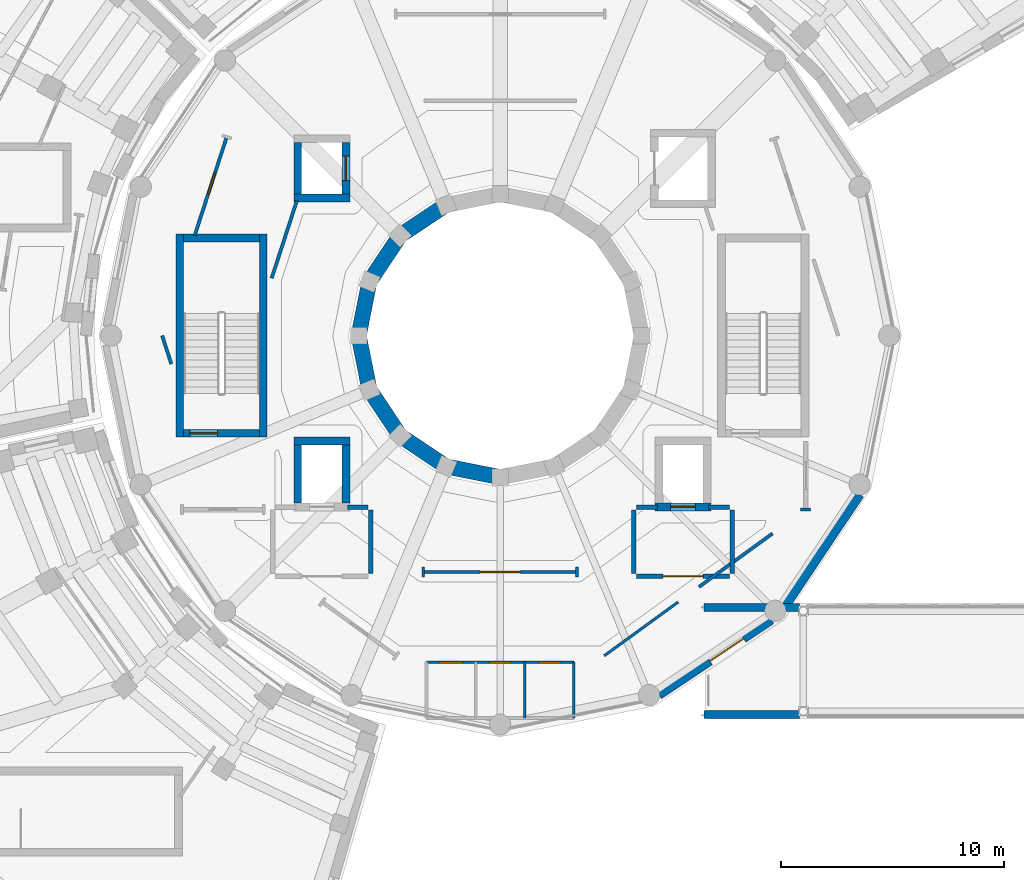
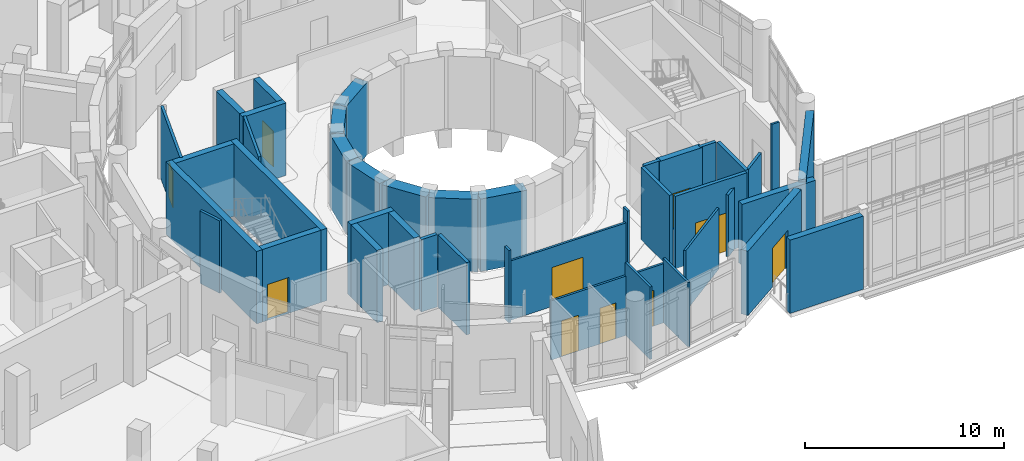
# One storey, part 63 of 89: 41 walls, 10 doors, 10 openings.
"""IFC4 building model written with IfcOpenShell, lengths in metres."""

from ifc_helpers import new_model, si_unit, direction, frame, frame_2d, origin, place, context, subcontext, project, spatial, rectangle, extrude, material, layer, layer_set, type_object, element, fill, save


model = new_model("IFC4")

# Units and contexts
model_context = context("Model", 3, precision=1e-05, world=origin(), true_north=direction((0.0, 1.0)))
body_context = subcontext(model_context, "Body", "Model", "MODEL_VIEW")
ifc_project = project(units=[si_unit("LENGTHUNIT", "METRE"), si_unit("AREAUNIT", "SQUARE_METRE"), si_unit("VOLUMEUNIT", "CUBIC_METRE"), si_unit("PLANEANGLEUNIT", "RADIAN"), si_unit("MASSUNIT", "GRAM", prefix="KILO")], contexts=[model_context])

# Site, building, storey
site_placement = place(None, origin())
site = spatial("IfcSite", under=ifc_project, at=site_placement, CompositionType="ELEMENT")
building_placement = place(site_placement, origin())
building = spatial("IfcBuilding", under=site, at=building_placement, Name="Soyqirgoq Riverine Aquarium", CompositionType="ELEMENT")
storey_placement = place(building_placement, frame((0.0, 0.0, 5.39990234375)))
storey = spatial("IfcBuildingStorey", under=building, at=storey_placement, Name="L02", CompositionType="ELEMENT", Elevation=5.39990234375)

# Walls
ifc_material_1 = material(Name="Insulated composite rainscreen panel", Category="steel")
ifc_layer_1 = layer(ifc_material_1, 0.360107421875)
ifc_layer_set_1 = layer_set([ifc_layer_1], Name="Insulated composite rainscreen panel")
wall_type_1 = type_object("IfcWallType", Name="BridgeSpandrelWall_360", PredefinedType="SOLIDWALL", material=ifc_layer_set_1)
wall_1_placement = place(storey_placement, frame((65.14990234375, 40.0, 0.0), z_axis=(0.0, 0.0, 1.0), x_axis=(1.0, 0.0, 0.0)))
element("IfcWall", 1, at=wall_1_placement, inside=storey, type_object=wall_type_1, Name="BR-1 L02 Exterior Travertine Wall 0400", PredefinedType="SOLIDWALL", context=body_context, shape_type="SweptSolid", body=[
    extrude(rectangle(XDim=4.27001953125, YDim=0.360107421875, at=frame_2d((2.135009765625, 0.0))), origin(), (0.0, 0.0, 1.0), 4.5),
])
wall_2_placement = place(storey_placement, frame((65.14990234375, 44.800048828125, 0.0), z_axis=(0.0, 0.0, 1.0), x_axis=(1.0, 0.0, 0.0)))
element("IfcWall", 2, at=wall_2_placement, inside=storey, type_object=wall_type_1, Name="BR-1 L02 Exterior Travertine Wall 0402", PredefinedType="SOLIDWALL", context=body_context, shape_type="SweptSolid", body=[
    extrude(rectangle(XDim=4.27001953125, YDim=0.360107421875, at=frame_2d((2.135009765625, 0.0))), origin(), (0.0, 0.0, 1.0), 3.7900390625),
])

# Wall, opening, door
ifc_material_2 = material(Name="Concrete C40/50", Category="concrete")
ifc_layer_2 = layer(ifc_material_2, 0.35009765625)
ifc_layer_set_2 = layer_set([ifc_layer_2], Name="Concrete C40/50")
wall_type_2 = type_object("IfcWallType", Name="CoreShearWall_350_C40", PredefinedType="SHEAR", material=ifc_layer_set_2)
wall_3_placement = place(storey_placement, frame((62.945068359375, 49.320068359375, 0.0), z_axis=(0.0, 0.0, 1.0), x_axis=(1.0, 0.0, 0.0)))
wall_3 = element("IfcWall", 3, at=wall_3_placement, inside=storey, type_object=wall_type_2, Name="Lift FFL-1 Shaft Wall L02 1", PredefinedType="SHEAR", context=body_context, shape_type="SweptSolid", body=[
    extrude(rectangle(XDim=2.510009765625, YDim=0.35009765625, at=frame_2d((1.2548828125, 0.0))), origin(), (0.0, 0.0, 1.0), 4.4501953125),
])
opening_1_placement = place(wall_3_placement, frame((0.705078125, 0.0, 0.0)))
opening_1 = element("IfcOpeningElement", 4, at=opening_1_placement, cuts=wall_3, Name="Opening LD-01", PredefinedType="OPENING", context=body_context, shape_type="SweptSolid", body=[
    extrude(rectangle(XDim=1.10009765625, YDim=2.199951171875, at=frame_2d((0.550048828125, 1.10009765625))), frame((0.0, 0.18505859375, 0.0), z_axis=(0.0, -1.0, 0.0), x_axis=(1.0, 0.0, 0.0)), (0.0, 0.0, 1.0), 0.3701171875),
])
ifc_material_3 = material(Name="Brushed stainless steel telescopic lift landing door", Category="steel")
door_type_1 = type_object("IfcDoorType", Name="LiftLandingDoor_1100x2200", OperationType="SLIDING_TO_LEFT", PredefinedType="DOOR", material=ifc_material_3)
door_1_placement = place(opening_1_placement, origin())
door_1 = element("IfcDoor", 5, at=door_1_placement, inside=storey, type_object=door_type_1, Name="LD-FFL-1-L02 Lift FFL-1 L02 Sliding Landing Door", OperationType="SLIDING_TO_LEFT", OverallHeight=2.199951171875, OverallWidth=1.10009765625, PredefinedType="DOOR", context=body_context, shape_type="SweptSolid", body=[
    extrude(rectangle(XDim=1.10009765625, YDim=2.199951171875, at=frame_2d((0.550048828125, 1.10009765625))), frame((0.0, 0.02490234375, 0.0), z_axis=(0.0, -1.0, 0.0), x_axis=(1.0, 0.0, 0.0)), (0.0, 0.0, 1.0), 0.050048828125),
])
fill(opening_1, door_1)

# Walls
wall_4_placement = place(storey_placement, frame((45.375, 52.449951171875, 0.0), z_axis=(0.0, 0.0, 1.0), x_axis=(0.0, 1.0, 0.0)))
element("IfcWall", 6, at=wall_4_placement, inside=storey, type_object=wall_type_2, Name="CORE-1B L02 Stair Core Shear Wall SIDE1", PredefinedType="SHEAR", context=body_context, shape_type="SweptSolid", body=[
    extrude(rectangle(XDim=9.10009765625, YDim=0.35009765625, at=frame_2d((4.550048828125, 0.0))), origin(), (0.0, 0.0, 1.0), 4.4501953125),
])
wall_5_placement = place(storey_placement, frame((45.199951171875, 61.375, 0.0), z_axis=(0.0, 0.0, 1.0), x_axis=(-1.0, 0.0, 0.0)))
element("IfcWall", 7, at=wall_5_placement, inside=storey, type_object=wall_type_2, Name="CORE-1B L02 Stair Core Shear Wall BACK", PredefinedType="SHEAR", context=body_context, shape_type="SweptSolid", body=[
    extrude(rectangle(XDim=3.39990234375, YDim=0.35009765625, at=frame_2d((1.699951171875, 0.0))), origin(), (0.0, 0.0, 1.0), 4.4501953125),
])
wall_6_placement = place(storey_placement, frame((41.625, 61.550048828125, 0.0), z_axis=(0.0, 0.0, 1.0), x_axis=(0.0, -1.0, 0.0)))
element("IfcWall", 8, at=wall_6_placement, inside=storey, type_object=wall_type_2, Name="CORE-1B L02 Stair Core Shear Wall SIDE2", PredefinedType="SHEAR", context=body_context, shape_type="SweptSolid", body=[
    extrude(rectangle(XDim=9.10009765625, YDim=0.35009765625, at=frame_2d((4.550048828125, 0.0))), origin(), (0.0, 0.0, 1.0), 4.4501953125),
])

# Wall, opening, door
wall_7_placement = place(storey_placement, frame((41.800048828125, 52.625, 0.0), z_axis=(0.0, 0.0, 1.0), x_axis=(1.0, 0.0, 0.0)))
wall_7 = element("IfcWall", 9, at=wall_7_placement, inside=storey, type_object=wall_type_2, Name="CORE-1B L02 Stair Core Shear Wall FRONT", PredefinedType="SHEAR", context=body_context, shape_type="SweptSolid", body=[
    extrude(rectangle(XDim=3.39990234375, YDim=0.35009765625, at=frame_2d((1.699951171875, 0.0))), origin(), (0.0, 0.0, 1.0), 4.4501953125),
])
opening_2_placement = place(wall_7_placement, frame((0.280029296875, 0.0, 0.0)))
opening_2 = element("IfcOpeningElement", 10, at=opening_2_placement, cuts=wall_7, Name="Opening FD-01", PredefinedType="OPENING", context=body_context, shape_type="SweptSolid", body=[
    extrude(rectangle(XDim=1.25, YDim=2.199951171875, at=frame_2d((0.625, 1.10009765625))), frame((0.0, 0.18505859375, 0.0), z_axis=(0.0, -1.0, 0.0), x_axis=(1.0, 0.0, 0.0)), (0.0, 0.0, 1.0), 0.3701171875),
])
ifc_material_4 = material(Name="Galvanised steel fire-resisting stair door", Category="steel")
door_type_2 = type_object("IfcDoorType", Name="StairFireDoor_1250x2200_EI90", OperationType="NOTDEFINED", PredefinedType="DOOR", material=ifc_material_4)
door_2_placement = place(opening_2_placement, origin())
door_2 = element("IfcDoor", 11, at=door_2_placement, inside=storey, type_object=door_type_2, Name="DR-ST-9-L02 ST-9 L02 Fire-Rated Stairwell Door", OperationType="SINGLE_SWING_LEFT", OverallHeight=2.199951171875, OverallWidth=1.25, PredefinedType="DOOR", context=body_context, shape_type="SweptSolid", body=[
    extrude(rectangle(XDim=1.25, YDim=2.199951171875, at=frame_2d((0.625, 1.10009765625))), frame((0.0, 0.02490234375, 0.0), z_axis=(0.0, -1.0, 0.0), x_axis=(1.0, 0.0, 0.0)), (0.0, 0.0, 1.0), 0.050048828125),
])
fill(opening_2, door_2)

# Walls
wall_8_placement = place(storey_placement, frame((49.080078125, 49.4951171875, 0.0), z_axis=(0.0, 0.0, 1.0), x_axis=(0.0, 1.0, 0.0)))
element("IfcWall", 12, at=wall_8_placement, inside=storey, type_object=wall_type_2, Name="Lift FFL-2 Shaft Wall L02 2", PredefinedType="SHEAR", context=body_context, shape_type="SweptSolid", body=[
    extrude(rectangle(XDim=2.60986328125, YDim=0.35009765625, at=frame_2d((1.304931640625, 0.0))), origin(), (0.0, 0.0, 1.0), 4.4501953125),
])
wall_9_placement = place(storey_placement, frame((49.2548828125, 52.280029296875, 0.0), z_axis=(0.0, 0.0, 1.0), x_axis=(-1.0, 0.0, 0.0)))
element("IfcWall", 13, at=wall_9_placement, inside=storey, type_object=wall_type_2, Name="Lift FFL-2 Shaft Wall L02 3", PredefinedType="SHEAR", context=body_context, shape_type="SweptSolid", body=[
    extrude(rectangle(XDim=2.509765625, YDim=0.35009765625, at=frame_2d((1.2548828125, 0.0))), origin(), (0.0, 0.0, 1.0), 4.4501953125),
])
wall_10_placement = place(storey_placement, frame((46.919921875, 52.10498046875, 0.0), z_axis=(0.0, 0.0, 1.0), x_axis=(0.0, -1.0, 0.0)))
element("IfcWall", 14, at=wall_10_placement, inside=storey, type_object=wall_type_2, Name="Lift FFL-2 Shaft Wall L02 4", PredefinedType="SHEAR", context=body_context, shape_type="SweptSolid", body=[
    extrude(rectangle(XDim=2.60986328125, YDim=0.35009765625, at=frame_2d((1.304931640625, 0.0))), origin(), (0.0, 0.0, 1.0), 4.4501953125),
])
wall_11_placement = place(storey_placement, frame((46.7451171875, 63.169921875, 0.0), z_axis=(0.0, 0.0, 1.0), x_axis=(1.0, 0.0, 0.0)))
element("IfcWall", 15, at=wall_11_placement, inside=storey, type_object=wall_type_2, Name="Lift PL-1 Shaft Wall L02 1", PredefinedType="SHEAR", context=body_context, shape_type="SweptSolid", body=[
    extrude(rectangle(XDim=2.509765625, YDim=0.35009765625, at=frame_2d((1.2548828125, 0.0))), origin(), (0.0, 0.0, 1.0), 4.4501953125),
])

# Wall, opening, door
wall_12_placement = place(storey_placement, frame((49.080078125, 63.344970703125, 0.0), z_axis=(0.0, 0.0, 1.0), x_axis=(0.0, 1.0, 0.0)))
wall_12 = element("IfcWall", 16, at=wall_12_placement, inside=storey, type_object=wall_type_2, Name="Lift PL-1 Shaft Wall L02 2", PredefinedType="SHEAR", context=body_context, shape_type="SweptSolid", body=[
    extrude(rectangle(XDim=2.31005859375, YDim=0.35009765625, at=frame_2d((1.155029296875, 0.0))), origin(), (0.0, 0.0, 1.0), 4.4501953125),
])
opening_3_placement = place(wall_12_placement, frame((0.60498046875, 0.0, 0.0)))
opening_3 = element("IfcOpeningElement", 17, at=opening_3_placement, cuts=wall_12, Name="Opening LD-01", PredefinedType="OPENING", context=body_context, shape_type="SweptSolid", body=[
    extrude(rectangle(XDim=1.10009765625, YDim=2.199951171875, at=frame_2d((0.550048828125, 1.10009765625))), frame((0.0, 0.18505859375, 0.0), z_axis=(0.0, -1.0, 0.0), x_axis=(1.0, 0.0, 0.0)), (0.0, 0.0, 1.0), 0.3701171875),
])
door_3_placement = place(opening_3_placement, origin())
door_3 = element("IfcDoor", 18, at=door_3_placement, inside=storey, type_object=door_type_1, Name="LD-PL-1-L02 Lift PL-1 L02 Sliding Landing Door", OperationType="SLIDING_TO_LEFT", OverallHeight=2.199951171875, OverallWidth=1.10009765625, PredefinedType="DOOR", context=body_context, shape_type="SweptSolid", body=[
    extrude(rectangle(XDim=1.10009765625, YDim=2.199951171875, at=frame_2d((0.550048828125, 1.10009765625))), frame((0.0, 0.02490234375, 0.0), z_axis=(0.0, -1.0, 0.0), x_axis=(1.0, 0.0, 0.0)), (0.0, 0.0, 1.0), 0.050048828125),
])
fill(opening_3, door_3)

# Walls
wall_13_placement = place(storey_placement, frame((46.919921875, 65.655029296875, 0.0), z_axis=(0.0, 0.0, 1.0), x_axis=(0.0, -1.0, 0.0)))
element("IfcWall", 19, at=wall_13_placement, inside=storey, type_object=wall_type_2, Name="Lift PL-1 Shaft Wall L02 4", PredefinedType="SHEAR", context=body_context, shape_type="SweptSolid", body=[
    extrude(rectangle(XDim=2.31005859375, YDim=0.35009765625, at=frame_2d((1.155029296875, 0.0))), origin(), (0.0, 0.0, 1.0), 4.4501953125),
])
ifc_material_5 = material(Name="Waterproof concrete C45/55", Category="concrete")
ifc_layer_3 = layer(ifc_material_5, 0.699951171875)
ifc_layer_set_3 = layer_set([ifc_layer_3], Name="Waterproof concrete C45/55")
wall_type_3 = type_object("IfcWallType", Name="HabitatTankWall_700_C45", PredefinedType="SHEAR", material=ifc_layer_set_3)
for number, where, z_axis, x_axis, name in (
    (20, (53.570068359375, 62.86669921875, 0.0), (0.0, 0.0, 1.0), (-0.831428251117, -0.55563212942, 0.0), "Ocean Tank Containment Wall Segment 06 L02"),
    (21, (51.510009765625, 61.489990234375, 0.0), (0.0, 0.0, 1.0), (-0.55563212942, -0.831428251117, 0.0), "Ocean Tank Containment Wall Segment 07 L02"),
):
    element("IfcWall", number, at=place(storey_placement, frame(where, z_axis=z_axis, x_axis=x_axis)), inside=storey, type_object=wall_type_3, Name=name, PredefinedType="SHEAR", context=body_context, shape_type="SweptSolid", body=[
        extrude(rectangle(XDim=2.477783203125, YDim=0.699951171875, at=frame_2d((1.23876953125, 0.0))), origin(), (0.0, 0.0, 1.0), 4.4501953125),
    ])
for number, where, z_axis, x_axis, name in (
    (22, (50.13330078125, 59.429931640625, 0.0), (0.0, 0.0, 1.0), (-0.195111669554, -0.980781033872, 0.0), "Ocean Tank Containment Wall Segment 08 L02"),
    (23, (49.64990234375, 57.0, 0.0), (0.0, 0.0, 1.0), (0.195111669554, -0.980781033872, 0.0), "Ocean Tank Containment Wall Segment 09 L02"),
):
    element("IfcWall", number, at=place(storey_placement, frame(where, z_axis=z_axis, x_axis=x_axis)), inside=storey, type_object=wall_type_3, Name=name, PredefinedType="SHEAR", context=body_context, shape_type="SweptSolid", body=[
        extrude(rectangle(XDim=2.4775390625, YDim=0.699951171875, at=frame_2d((1.23876953125, 0.0))), origin(), (0.0, 0.0, 1.0), 4.4501953125),
    ])
for number, where, z_axis, x_axis, name in (
    (24, (50.13330078125, 54.570068359375, 0.0), (0.0, 0.0, 1.0), (0.55563212942, -0.831428251117, 0.0), "Ocean Tank Containment Wall Segment 10 L02"),
    (25, (51.510009765625, 52.510009765625, 0.0), (0.0, 0.0, 1.0), (0.831428251117, -0.55563212942, 0.0), "Ocean Tank Containment Wall Segment 11 L02"),
):
    element("IfcWall", number, at=place(storey_placement, frame(where, z_axis=z_axis, x_axis=x_axis)), inside=storey, type_object=wall_type_3, Name=name, PredefinedType="SHEAR", context=body_context, shape_type="SweptSolid", body=[
        extrude(rectangle(XDim=2.477783203125, YDim=0.699951171875, at=frame_2d((1.23876953125, 0.0))), origin(), (0.0, 0.0, 1.0), 4.4501953125),
    ])
wall_14_placement = place(storey_placement, frame((53.570068359375, 51.13330078125, 0.0), z_axis=(0.0, 0.0, 1.0), x_axis=(0.980781033872, -0.195111669554, 0.0)))
element("IfcWall", 26, at=wall_14_placement, inside=storey, type_object=wall_type_3, Name="Ocean Tank Containment Wall Segment 12 L02", PredefinedType="SHEAR", context=body_context, shape_type="SweptSolid", body=[
    extrude(rectangle(XDim=2.4775390625, YDim=0.699951171875, at=frame_2d((1.23876953125, 0.0))), origin(), (0.0, 0.0, 1.0), 4.4501953125),
])

# Wall, opening, door
ifc_material_6 = material(Name="Lightweight steel-stud gypsum partition", Category="steel")
ifc_layer_4 = layer(ifc_material_6, 0.1201171875)
ifc_layer_set_4 = layer_set([ifc_layer_4], Name="Lightweight steel-stud gypsum partition")
wall_type_4 = type_object("IfcWallType", Name="PartitionWall_120_Std", PredefinedType="PARTITIONING", material=ifc_layer_set_4)
wall_15_placement = place(storey_placement, frame((59.445556640625, 46.395751953125, 0.0), z_axis=(0.0, 0.0, 1.0), x_axis=(-1.0, 0.0, 0.0)))
wall_15 = element("IfcWall", 27, at=wall_15_placement, inside=storey, type_object=wall_type_4, Name="Ocean Drum Circulation Corridor Partition Wall", PredefinedType="PARTITIONING", context=body_context, shape_type="SweptSolid", body=[
    extrude(rectangle(XDim=6.89111328125, YDim=0.1201171875, at=frame_2d((3.445556640625, 0.0))), origin(), (0.0, 0.0, 1.0), 3.64013671875),
])
opening_4_placement = place(wall_15_placement, frame((2.54541015625, 0.0, 0.0)))
opening_4 = element("IfcOpeningElement", 28, at=opening_4_placement, cuts=wall_15, Name="Opening ID-01", PredefinedType="OPENING", context=body_context, shape_type="SweptSolid", body=[
    extrude(rectangle(XDim=1.800048828125, YDim=2.39990234375, at=frame_2d((0.89990234375, 1.199951171875))), frame((0.0, 0.070068359375, 0.0), z_axis=(0.0, -1.0, 0.0), x_axis=(1.0, 0.0, 0.0)), (0.0, 0.0, 1.0), 0.14013671875),
])
ifc_material_7 = material(Name="Acoustic timber-framed glazed gallery double door", Category="wood")
door_type_3 = type_object("IfcDoorType", Name="GalleryDoubleDoor_1800x2400", OperationType="DOUBLE_DOOR_SINGLE_SWING", PredefinedType="DOOR", material=ifc_material_7)
door_4_placement = place(opening_4_placement, origin())
door_4 = element("IfcDoor", 29, at=door_4_placement, inside=storey, type_object=door_type_3, Name="IDR-V1-L02-0028 Shoaling Pelagic Gallery Door", OperationType="DOUBLE_DOOR_SINGLE_SWING", OverallHeight=2.39990234375, OverallWidth=1.800048828125, PredefinedType="DOOR", context=body_context, shape_type="SweptSolid", body=[
    extrude(rectangle(XDim=1.800048828125, YDim=2.39990234375, at=frame_2d((0.89990234375, 1.199951171875))), frame((0.0, 0.02490234375, 0.0), z_axis=(0.0, -1.0, 0.0), x_axis=(1.0, 0.0, 0.0)), (0.0, 0.0, 1.0), 0.050048828125),
])
fill(opening_4, door_4)

# Walls
wall_16_placement = place(storey_placement, frame((60.666259765625, 42.638916015625, 0.0), z_axis=(0.0, 0.0, 1.0), x_axis=(0.808993389874, 0.587817739729, 0.0)))
element("IfcWall", 30, at=wall_16_placement, inside=storey, type_object=wall_type_4, Name="Ocean Drum Circulation Corridor Partition Wall", PredefinedType="PARTITIONING", context=body_context, shape_type="SweptSolid", body=[
    extrude(rectangle(XDim=4.101806640625, YDim=0.1201171875, at=frame_2d((2.05078125, 0.0))), origin(), (0.0, 0.0, 1.0), 3.739990234375),
])
for number, where, z_axis, x_axis, name in (
    (31, (69.919921875, 49.199951171875, 0.0), (0.0, 0.0, 1.0), (-1.0, 0.0, 0.0), "V1 L02 Jamb Return Pier"),
    (32, (59.445556640625, 46.61572265625, 0.0), (0.0, 0.0, 1.0), (0.0, -1.0, 0.0), "V1 L02 Jamb Return Pier"),
    (33, (52.554443359375, 46.61572265625, 0.0), (0.0, 0.0, 1.0), (0.0, -1.0, 0.0), "V1 L02 Jamb Return Pier"),
):
    element("IfcWall", number, at=place(storey_placement, frame(where, z_axis=z_axis, x_axis=x_axis)), inside=storey, type_object=wall_type_4, Name=name, PredefinedType="PARTITIONING", context=body_context, shape_type="SweptSolid", body=[
        extrude(rectangle(XDim=0.43994140625, YDim=0.1201171875, at=frame_2d((0.219970703125, 0.0))), origin(), (0.0, 0.0, 1.0), 4.4501953125),
    ])

# Wall, openings, doors
ifc_material_8 = material(Name="Moisture-resistant cement-board wet-room partition", Category="gypsum")
ifc_layer_5 = layer(ifc_material_8, 0.125)
ifc_layer_set_5 = layer_set([ifc_layer_5], Name="Moisture-resistant cement-board wet-room partition")
wall_type_5 = type_object("IfcWallType", Name="PartitionWall_125_Wet", PredefinedType="PARTITIONING", material=ifc_layer_set_5)
wall_17_placement = place(storey_placement, frame((52.699951171875, 42.35009765625, 0.0), z_axis=(0.0, 0.0, 1.0), x_axis=(1.0, 0.0, 0.0)))
wall_17 = element("IfcWall", 34, at=wall_17_placement, inside=storey, type_object=wall_type_5, Name="V1 L02 WC Suite Front Wall", PredefinedType="PARTITIONING", context=body_context, shape_type="SweptSolid", body=[
    extrude(rectangle(XDim=6.60009765625, YDim=0.125, at=frame_2d((3.300048828125, 0.0))), origin(), (0.0, 0.0, 1.0), 3.64013671875),
])
opening_5_placement = place(wall_17_placement, frame((0.60009765625, 0.0, 0.0)))
opening_5 = element("IfcOpeningElement", 35, at=opening_5_placement, cuts=wall_17, Name="Opening ID-05", PredefinedType="OPENING", context=body_context, shape_type="SweptSolid", body=[
    extrude(rectangle(XDim=1.0, YDim=2.199951171875, at=frame_2d((0.5, 1.10009765625))), frame((0.0, 0.072509765625, 0.0), z_axis=(0.0, -1.0, 0.0), x_axis=(1.0, 0.0, 0.0)), (0.0, 0.0, 1.0), 0.14501953125),
])
opening_6_placement = place(wall_17_placement, frame((2.824951171875, 0.0, 0.0)))
opening_6 = element("IfcOpeningElement", 36, at=opening_6_placement, cuts=wall_17, Name="Opening ID-06", PredefinedType="OPENING", context=body_context, shape_type="SweptSolid", body=[
    extrude(rectangle(XDim=0.949951171875, YDim=2.199951171875, at=frame_2d((0.47509765625, 1.10009765625))), frame((0.0, 0.072509765625, 0.0), z_axis=(0.0, -1.0, 0.0), x_axis=(1.0, 0.0, 0.0)), (0.0, 0.0, 1.0), 0.14501953125),
])
opening_7_placement = place(wall_17_placement, frame((5.02490234375, 0.0, 0.0)))
opening_7 = element("IfcOpeningElement", 37, at=opening_7_placement, cuts=wall_17, Name="Opening ID-06", PredefinedType="OPENING", context=body_context, shape_type="SweptSolid", body=[
    extrude(rectangle(XDim=0.949951171875, YDim=2.199951171875, at=frame_2d((0.47509765625, 1.10009765625))), frame((0.0, 0.072509765625, 0.0), z_axis=(0.0, -1.0, 0.0), x_axis=(1.0, 0.0, 0.0)), (0.0, 0.0, 1.0), 0.14501953125),
])
ifc_material_9 = material(Name="Moisture-resistant HPL accessible washroom door", Category="wood")
door_type_4 = type_object("IfcDoorType", Name="AccessibleWCDoor_1000x2200", OperationType="NOTDEFINED", PredefinedType="DOOR", material=ifc_material_9)
door_5_placement = place(opening_5_placement, origin())
door_5 = element("IfcDoor", 38, at=door_5_placement, inside=storey, type_object=door_type_4, Name="IDR-V1-L02-0023 Accessible WC Door", OperationType="SINGLE_SWING_LEFT", OverallHeight=2.199951171875, OverallWidth=1.0, PredefinedType="DOOR", context=body_context, shape_type="SweptSolid", body=[
    extrude(rectangle(XDim=1.0, YDim=2.199951171875, at=frame_2d((0.5, 1.10009765625))), frame((0.0, 0.02490234375, 0.0), z_axis=(0.0, -1.0, 0.0), x_axis=(1.0, 0.0, 0.0)), (0.0, 0.0, 1.0), 0.050048828125),
])
fill(opening_5, door_5)
ifc_material_10 = material(Name="Moisture-resistant HPL washroom door", Category="wood")
door_type_5 = type_object("IfcDoorType", Name="WCDoor_950x2200", OperationType="NOTDEFINED", PredefinedType="DOOR", material=ifc_material_10)
door_6_placement = place(opening_6_placement, origin())
door_6 = element("IfcDoor", 39, at=door_6_placement, inside=storey, type_object=door_type_5, Name="IDR-V1-L02-0024 Public Female WC Door", OperationType="SINGLE_SWING_RIGHT", OverallHeight=2.199951171875, OverallWidth=0.949951171875, PredefinedType="DOOR", context=body_context, shape_type="SweptSolid", body=[
    extrude(rectangle(XDim=0.949951171875, YDim=2.199951171875, at=frame_2d((0.47509765625, 1.10009765625))), frame((0.0, 0.02490234375, 0.0), z_axis=(0.0, -1.0, 0.0), x_axis=(1.0, 0.0, 0.0)), (0.0, 0.0, 1.0), 0.050048828125),
])
fill(opening_6, door_6)
door_7_placement = place(opening_7_placement, origin())
door_7 = element("IfcDoor", 40, at=door_7_placement, inside=storey, type_object=door_type_5, Name="IDR-V1-L02-0025 Public Male WC Door", OperationType="SINGLE_SWING_LEFT", OverallHeight=2.199951171875, OverallWidth=0.949951171875, PredefinedType="DOOR", context=body_context, shape_type="SweptSolid", body=[
    extrude(rectangle(XDim=0.949951171875, YDim=2.199951171875, at=frame_2d((0.47509765625, 1.10009765625))), frame((0.0, 0.02490234375, 0.0), z_axis=(0.0, -1.0, 0.0), x_axis=(1.0, 0.0, 0.0)), (0.0, 0.0, 1.0), 0.050048828125),
])
fill(opening_7, door_7)

# Walls
wall_18_placement = place(storey_placement, frame((59.300048828125, 39.85009765625, 0.0), z_axis=(0.0, 0.0, 1.0), x_axis=(0.0, 1.0, 0.0)))
element("IfcWall", 41, at=wall_18_placement, inside=storey, type_object=wall_type_5, Name="V1 L02 WC Suite East Wall", PredefinedType="PARTITIONING", context=body_context, shape_type="SweptSolid", body=[
    extrude(rectangle(XDim=2.5, YDim=0.125, at=frame_2d((1.25, 0.0))), origin(), (0.0, 0.0, 1.0), 3.940185546875),
])
wall_19_placement = place(storey_placement, frame((57.10009765625, 39.85009765625, 0.0), z_axis=(0.0, 0.0, 1.0), x_axis=(0.0, 1.0, 0.0)))
element("IfcWall", 42, at=wall_19_placement, inside=storey, type_object=wall_type_5, Name="V1 L02 WC Cubicle Divider 2", PredefinedType="PARTITIONING", context=body_context, shape_type="SweptSolid", body=[
    extrude(rectangle(XDim=2.5, YDim=0.125, at=frame_2d((1.25, 0.0))), origin(), (0.0, 0.0, 1.0), 4.4501953125),
])
ifc_material_11 = material(Name="Acoustic mineral-wool twin-stud partition", Category="gypsum")
ifc_layer_6 = layer(ifc_material_11, 0.14990234375)
ifc_layer_set_6 = layer_set([ifc_layer_6], Name="Acoustic mineral-wool twin-stud partition")
wall_type_6 = type_object("IfcWallType", Name="PartitionWall_150_Acoustic", PredefinedType="PARTITIONING", material=ifc_layer_set_6)
wall_20_placement = place(storey_placement, frame((64.919921875, 45.7294921875, 0.0), z_axis=(0.0, 0.0, 1.0), x_axis=(0.809010646545, 0.587793989232, 0.0)))
element("IfcWall", 43, at=wall_20_placement, inside=storey, type_object=wall_type_6, Name="Ocean Drum Circulation Corridor Partition Wall", PredefinedType="PARTITIONING", context=body_context, shape_type="SweptSolid", body=[
    extrude(rectangle(XDim=4.07470703125, YDim=0.14990234375, at=frame_2d((2.037353515625, 0.0))), origin(), (0.0, 0.0, 1.0), 3.7900390625),
])

# Wall, opening, door
wall_21_placement = place(storey_placement, frame((42.29541015625, 61.489013671875, 0.0), z_axis=(0.0, 0.0, 1.0), x_axis=(0.309054026996, 0.95104448287, 0.0)))
wall_21 = element("IfcWall", 44, at=wall_21_placement, inside=storey, type_object=wall_type_6, Name="Ocean Tank Mid-Water Viewing Hall Partition Wall", PredefinedType="PARTITIONING", context=body_context, shape_type="SweptSolid", body=[
    extrude(rectangle(XDim=4.6513671875, YDim=0.14990234375, at=frame_2d((2.32568359375, 0.0))), origin(), (0.0, 0.0, 1.0), 4.4501953125),
])
opening_8_placement = place(wall_21_placement, frame((1.962890625, 0.0, 0.0)))
opening_8 = element("IfcOpeningElement", 45, at=opening_8_placement, cuts=wall_21, Name="Opening ID-03", PredefinedType="OPENING", context=body_context, shape_type="SweptSolid", body=[
    extrude(rectangle(XDim=1.0, YDim=2.199951171875, at=frame_2d((0.5, 1.10009765625))), frame((0.0, 0.0849609375, 0.0), z_axis=(0.0, -1.0, 0.0), x_axis=(1.0, 0.0, 0.0)), (0.0, 0.0, 1.0), 0.169921875),
])
ifc_material_12 = material(Name="Solid-core ash veneer room door", Category="wood")
door_type_6 = type_object("IfcDoorType", Name="RoomDoor_1000x2200", OperationType="NOTDEFINED", PredefinedType="DOOR", material=ifc_material_12)
door_8_placement = place(opening_8_placement, origin())
door_8 = element("IfcDoor", 46, at=door_8_placement, inside=storey, type_object=door_type_6, Name="IDR-V1-L02-0030 Ocean Drum Circulation Corridor Door", OperationType="SINGLE_SWING_LEFT", OverallHeight=2.199951171875, OverallWidth=1.0, PredefinedType="DOOR", context=body_context, shape_type="SweptSolid", body=[
    extrude(rectangle(XDim=1.0, YDim=2.199951171875, at=frame_2d((0.5, 1.10009765625))), frame((0.0, 0.02490234375, 0.0), z_axis=(0.0, -1.0, 0.0), x_axis=(1.0, 0.0, 0.0)), (0.0, 0.0, 1.0), 0.050048828125),
])
fill(opening_8, door_8)

# Walls
wall_22_placement = place(storey_placement, frame((41.25, 55.728515625, 0.0), z_axis=(0.0, 0.0, 1.0), x_axis=(-0.30898696848, 0.951066271776, 0.0)))
element("IfcWall", 47, at=wall_22_placement, inside=storey, type_object=wall_type_6, Name="Ocean Tank Mid-Water Viewing Hall Partition Wall", PredefinedType="PARTITIONING", context=body_context, shape_type="SweptSolid", body=[
    extrude(rectangle(XDim=1.3369140625, YDim=0.14990234375, at=frame_2d((0.66845703125, 0.0))), origin(), (0.0, 0.0, 1.0), 4.4501953125),
])
wall_23_placement = place(storey_placement, frame((46.880859375, 63.055908203125, 0.0), z_axis=(0.0, 0.0, 1.0), x_axis=(-0.3090332715, -0.951051227383, 0.0)))
element("IfcWall", 48, at=wall_23_placement, inside=storey, type_object=wall_type_6, Name="Shoaling Pelagic Gallery Partition Wall", PredefinedType="PARTITIONING", context=body_context, shape_type="SweptSolid", body=[
    extrude(rectangle(XDim=3.659423828125, YDim=0.14990234375, at=frame_2d((1.82958984375, 0.0))), origin(), (0.0, 0.0, 1.0), 4.4501953125),
])

# Wall, opening, door
ifc_material_13 = material(Name="Fire-rated calcium silicate twin-stud partition", Category="gypsum")
ifc_layer_7 = layer(ifc_material_13, 0.199951171875)
ifc_layer_set_7 = layer_set([ifc_layer_7], Name="Fire-rated calcium silicate twin-stud partition")
wall_type_7 = type_object("IfcWallType", Name="PartitionWall_200_EI90", PredefinedType="PARTITIONING", material=ifc_layer_set_7)
wall_24_placement = place(storey_placement, frame((62.1201171875, 46.199951171875, 0.0), z_axis=(0.0, 0.0, 1.0), x_axis=(1.0, 0.0, 0.0)))
wall_24 = element("IfcWall", 49, at=wall_24_placement, inside=storey, type_object=wall_type_7, Name="CORE-1 L02 Firefighting Lobby South Enclosure Wall", PredefinedType="PARTITIONING", context=body_context, shape_type="SweptSolid", body=[
    extrude(rectangle(XDim=4.159912109375, YDim=0.199951171875, at=frame_2d((2.080078125, 0.0))), origin(), (0.0, 0.0, 1.0), 4.4501953125),
])
opening_9_placement = place(wall_24_placement, frame((1.179931640625, 0.0, 0.0)))
opening_9 = element("IfcOpeningElement", 50, at=opening_9_placement, cuts=wall_24, Name="Opening FD-02", PredefinedType="OPENING", context=body_context, shape_type="SweptSolid", body=[
    extrude(rectangle(XDim=1.800048828125, YDim=2.39990234375, at=frame_2d((0.89990234375, 1.199951171875))), frame((0.0, 0.10986328125, 0.0), z_axis=(0.0, -1.0, 0.0), x_axis=(1.0, 0.0, 0.0)), (0.0, 0.0, 1.0), 0.219970703125),
])
ifc_material_14 = material(Name="Glazed steel fire-resisting corridor double door", Category="steel")
door_type_7 = type_object("IfcDoorType", Name="LobbyFireDoor_1800x2400_EI60", OperationType="DOUBLE_DOOR_SINGLE_SWING", PredefinedType="DOOR", material=ifc_material_14)
door_9_placement = place(opening_9_placement, origin())
door_9 = element("IfcDoor", 51, at=door_9_placement, inside=storey, type_object=door_type_7, Name="DR-FFL-CORE-1-L02 CORE-1 L02 Firefighting Lobby Fire Door", OperationType="DOUBLE_DOOR_SINGLE_SWING", OverallHeight=2.39990234375, OverallWidth=1.800048828125, PredefinedType="DOOR", context=body_context, shape_type="SweptSolid", body=[
    extrude(rectangle(XDim=1.800048828125, YDim=2.39990234375, at=frame_2d((0.89990234375, 1.199951171875))), frame((0.0, 0.02490234375, 0.0), z_axis=(0.0, -1.0, 0.0), x_axis=(1.0, 0.0, 0.0)), (0.0, 0.0, 1.0), 0.050048828125),
])
fill(opening_9, door_9)

# Walls
for number, where, z_axis, x_axis, name in (
    (52, (62.0, 46.320068359375, 0.0), (0.0, 0.0, 1.0), (0.0, 1.0, 0.0), "CORE-1 L02 Firefighting Lobby W Wall"),
    (53, (66.39990234375, 46.320068359375, 0.0), (0.0, 0.0, 1.0), (0.0, 1.0, 0.0), "CORE-1 L02 Firefighting Lobby E Wall"),
):
    element("IfcWall", number, at=place(storey_placement, frame(where, z_axis=z_axis, x_axis=x_axis)), inside=storey, type_object=wall_type_7, Name=name, PredefinedType="PARTITIONING", context=body_context, shape_type="SweptSolid", body=[
        extrude(rectangle(XDim=2.85986328125, YDim=0.199951171875, at=frame_2d((1.429931640625, 0.0))), origin(), (0.0, 0.0, 1.0), 4.4501953125),
    ])
for number, where, z_axis, x_axis, name in (
    (54, (62.1201171875, 49.300048828125, 0.0), (0.0, 0.0, 1.0), (1.0, 0.0, 0.0), "CORE-1 L02 Firefighting Lobby NL Wall"),
    (55, (65.35009765625, 49.300048828125, 0.0), (0.0, 0.0, 1.0), (1.0, 0.0, 0.0), "CORE-1 L02 Firefighting Lobby NR Wall"),
):
    element("IfcWall", number, at=place(storey_placement, frame(where, z_axis=z_axis, x_axis=x_axis)), inside=storey, type_object=wall_type_7, Name=name, PredefinedType="PARTITIONING", context=body_context, shape_type="SweptSolid", body=[
        extrude(rectangle(XDim=0.929931640625, YDim=0.199951171875, at=frame_2d((0.46484375, 0.0))), origin(), (0.0, 0.0, 1.0), 4.4501953125),
    ])
wall_25_placement = place(storey_placement, frame((50.199951171875, 46.320068359375, 0.0), z_axis=(0.0, 0.0, 1.0), x_axis=(0.0, 1.0, 0.0)))
element("IfcWall", 56, at=wall_25_placement, inside=storey, type_object=wall_type_7, Name="CORE-1B L02 Firefighting Lobby E Wall", PredefinedType="PARTITIONING", context=body_context, shape_type="SweptSolid", body=[
    extrude(rectangle(XDim=2.85986328125, YDim=0.199951171875, at=frame_2d((1.429931640625, 0.0))), origin(), (0.0, 0.0, 1.0), 4.4501953125),
])
wall_26_placement = place(storey_placement, frame((49.14990234375, 49.300048828125, 0.0), z_axis=(0.0, 0.0, 1.0), x_axis=(1.0, 0.0, 0.0)))
element("IfcWall", 57, at=wall_26_placement, inside=storey, type_object=wall_type_7, Name="CORE-1B L02 Firefighting Lobby NR Wall", PredefinedType="PARTITIONING", context=body_context, shape_type="SweptSolid", body=[
    extrude(rectangle(XDim=0.93017578125, YDim=0.199951171875, at=frame_2d((0.465087890625, 0.0))), origin(), (0.0, 0.0, 1.0), 4.4501953125),
])

# Wall, opening, door
ifc_material_15 = material(Name="Honed travertine limestone cavity wall", Category="masonry")
ifc_layer_8 = layer(ifc_material_15, 0.39990234375)
ifc_layer_set_8 = layer_set([ifc_layer_8], Name="Honed travertine limestone cavity wall")
wall_type_8 = type_object("IfcWallType", Name="TravertineSpandrelWall_400", PredefinedType="SOLIDWALL", material=ifc_layer_set_8)
wall_27_placement = place(storey_placement, frame((68.16650390625, 44.2509765625, 0.0), z_axis=(0.0, 0.0, 1.0), x_axis=(-0.831449207338, -0.555600769994, 0.0)))
wall_27 = element("IfcWall", 58, at=wall_27_placement, inside=storey, type_object=wall_type_8, Name="V1 L02 Exterior Travertine Wall 0045", PredefinedType="SOLIDWALL", context=body_context, shape_type="SweptSolid", body=[
    extrude(rectangle(XDim=6.066162109375, YDim=0.39990234375, at=frame_2d((3.033203125, 0.0))), origin(), (0.0, 0.0, 1.0), 3.9501953125),
])
opening_10_placement = place(wall_27_placement, frame((1.513916015625, 0.0, 0.0)))
opening_10 = element("IfcOpeningElement", 59, at=opening_10_placement, cuts=wall_27, Name="Opening BD-01", PredefinedType="OPENING", context=body_context, shape_type="SweptSolid", body=[
    extrude(rectangle(XDim=1.800048828125, YDim=2.39990234375, at=frame_2d((0.89990234375, 1.199951171875))), frame((0.0, 0.2099609375, 0.0), z_axis=(0.0, -1.0, 0.0), x_axis=(1.0, 0.0, 0.0)), (0.0, 0.0, 1.0), 0.419921875),
])
ifc_material_16 = material(Name="Thermally broken aluminium fire-rated portal door", Category="aluminium")
door_type_8 = type_object("IfcDoorType", Name="BridgePortalDoor_1800x2400", OperationType="DOUBLE_DOOR_SINGLE_SWING", PredefinedType="DOOR", material=ifc_material_16)
door_10_placement = place(opening_10_placement, origin())
door_10 = element("IfcDoor", 60, at=door_10_placement, inside=storey, type_object=door_type_8, Name="EDR-BR-1-W-035 BR-1-W Glazed Bridge Portal Fire Door", OperationType="DOUBLE_DOOR_SINGLE_SWING", OverallHeight=2.39990234375, OverallWidth=1.800048828125, PredefinedType="DOOR", context=body_context, shape_type="SweptSolid", body=[
    extrude(rectangle(XDim=1.800048828125, YDim=2.39990234375, at=frame_2d((0.89990234375, 1.199951171875))), frame((0.0, 0.02490234375, 0.0), z_axis=(0.0, -1.0, 0.0), x_axis=(1.0, 0.0, 0.0)), (0.0, 0.0, 1.0), 0.050048828125),
])
fill(opening_10, door_10)

# Wall
ifc_material_17 = material(Name="Honed travertine limestone cavity wall", Category="masonry")
ifc_layer_9 = layer(ifc_material_17, 0.419921875)
ifc_layer_set_9 = layer_set([ifc_layer_9], Name="Honed travertine limestone cavity wall")
wall_type_9 = type_object("IfcWallType", Name="TravertineSpandrelWall_420", PredefinedType="SOLIDWALL", material=ifc_layer_set_9)
wall_28_placement = place(storey_placement, frame((72.119384765625, 49.877197265625, 0.0), z_axis=(0.0, 0.0, 1.0), x_axis=(-0.555600769994, -0.831449207338, 0.0)))
element("IfcWall", 61, at=wall_28_placement, inside=storey, type_object=wall_type_9, Name="V1 L02 Exterior Travertine Wall 0048", PredefinedType="SOLIDWALL", context=body_context, shape_type="SweptSolid", body=[
    extrude(rectangle(XDim=6.066162109375, YDim=0.419921875, at=frame_2d((3.033203125, 0.0))), origin(), (0.0, 0.0, 1.0), 3.9501953125),
])

save(model, "model.ifc")
